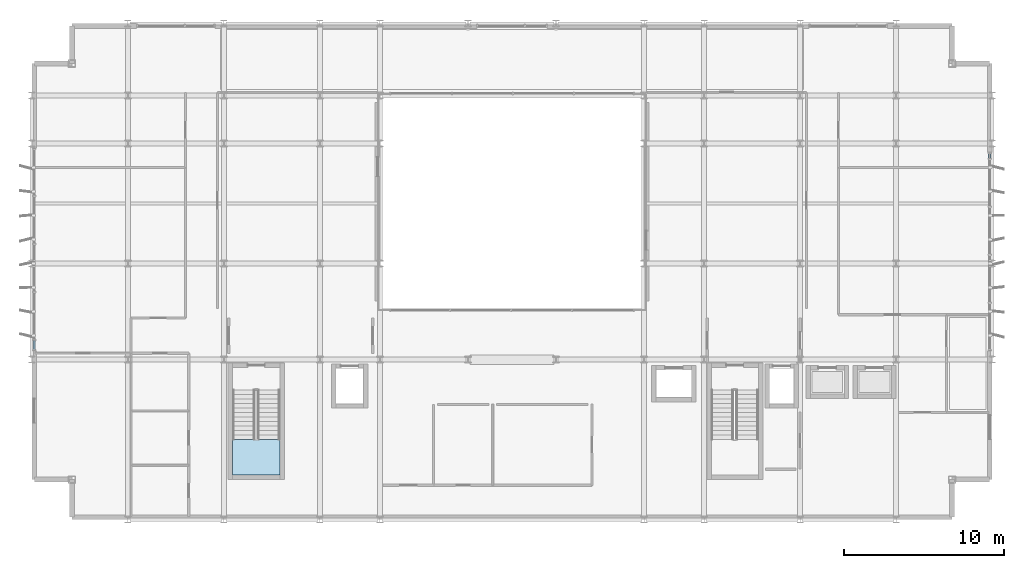
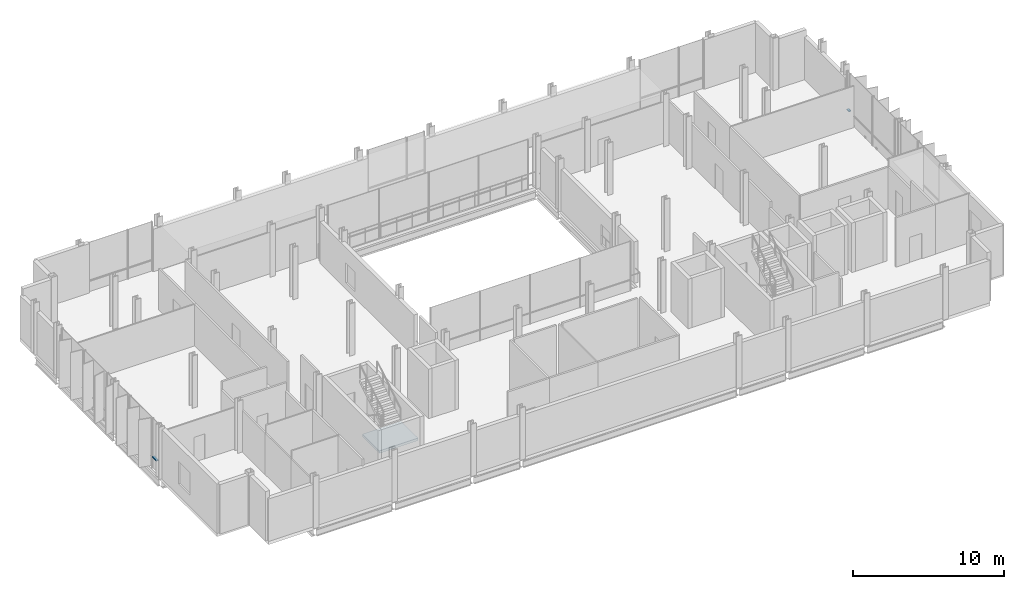
# One storey, part 20 of 32: 2 members, 1 slab, 3 elements without a shape of their own.
"""IFC4 building model written with IfcOpenShell, lengths in metres."""

from ifc_helpers import new_model, si_unit, direction, frame, origin, origin_2d, place, context, subcontext, project, spatial, polyline, hollow_rectangle, outline, extrude, material, layer, layer_set, material_profile, profile_set, type_object, element, aggregate, save


model = new_model("IFC4")

# Units and contexts
model_context = context("Model", 3, precision=1e-05, world=origin(), true_north=direction((0.0, 1.0)))
body_context = subcontext(model_context, "Body", "Model", "MODEL_VIEW")
ifc_project = project(units=[si_unit("LENGTHUNIT", "METRE"), si_unit("AREAUNIT", "SQUARE_METRE"), si_unit("VOLUMEUNIT", "CUBIC_METRE"), si_unit("PLANEANGLEUNIT", "RADIAN"), si_unit("MASSUNIT", "GRAM", prefix="KILO")], contexts=[model_context])

# Site, building, storey
site_placement = place(None, origin())
site = spatial("IfcSite", under=ifc_project, at=site_placement, CompositionType="ELEMENT")
building_placement = place(site_placement, origin())
building = spatial("IfcBuilding", under=site, at=building_placement, Name="Brevholm Reach", CompositionType="ELEMENT")
storey_placement = place(building_placement, frame((0.0, 0.0, 134.5)))
storey = spatial("IfcBuildingStorey", under=building, at=storey_placement, Name="L40", CompositionType="ELEMENT", Elevation=134.5)

# Curtain wall, member
ifc_material_1 = material(Name="Dark Anodised Aluminium 6063-T6 and Solar-Control Glass", Category="aluminium")
ifc_layer_1 = layer(ifc_material_1, 0.179931640625)
ifc_layer_set_1 = layer_set([ifc_layer_1], Name="Dark Anodised Aluminium 6063-T6 and Solar-Control Glass")
curtain_wall_type = type_object("IfcCurtainWallType", Name="CW-05", PredefinedType="NOTDEFINED", material=ifc_layer_set_1)
curtain_wall_1_placement = place(storey_placement, origin())
curtain_wall_1 = element("IfcCurtainWall", 1, at=curtain_wall_1_placement, inside=storey, type_object=curtain_wall_type, Name="L40 Curtain Wall CW-05", PredefinedType="NOTDEFINED")
ifc_material_2 = material(Name="Dark Anodised Aluminium 6063-T6", Category="aluminium")
ifc_material_profile = material_profile(ifc_material_2, hollow_rectangle(XDim=0.074951171875, YDim=0.179931640625, WallThickness=0.006103515625, InnerFilletRadius=0.006103515625, OuterFilletRadius=0.011962890625, at=origin_2d()), Name="RHS 180x75x6")
ifc_profile_set = profile_set([ifc_material_profile], Name="Dark Anodised Aluminium 6063-T6")
member_type = type_object("IfcMemberType", Name="CWT-180", PredefinedType="NOTDEFINED", material=ifc_profile_set)
member_1_placement = place(storey_placement, frame((0.14990234375, 11.1826171875, 0.89990234375), z_axis=(0.0, -1.0, 0.0), x_axis=(0.0, 0.0, 1.0)))
member_1 = element("IfcMember", 2, at=member_1_placement, type_object=member_type, Name="CT-180 Transom 5.1", ObjectType="TRANSOM", PredefinedType="USERDEFINED", context=body_context, shape_type="SweptSolid", body=[
    extrude(hollow_rectangle(XDim=0.074951171875, YDim=0.179931640625, WallThickness=0.006103515625, InnerFilletRadius=0.006103515625, OuterFilletRadius=0.011962890625, at=origin_2d()), origin(), (0.0, 0.0, 1.0), 0.5576171875),
])
aggregate(curtain_wall_1, [member_1])

curtain_wall_2_placement = place(storey_placement, origin())
curtain_wall_2 = element("IfcCurtainWall", 3, at=curtain_wall_2_placement, inside=storey, type_object=curtain_wall_type, Name="L40 Curtain Wall CW-05", PredefinedType="NOTDEFINED")
member_2_placement = place(storey_placement, frame((59.85009765625, 22.58740234375, 0.89990234375), z_axis=(0.0, 1.0, 0.0), x_axis=(0.0, 0.0, 1.0)))
member_2 = element("IfcMember", 4, at=member_2_placement, type_object=member_type, Name="CT-180 Transom 5.1", ObjectType="TRANSOM", PredefinedType="USERDEFINED", context=body_context, shape_type="SweptSolid", body=[
    extrude(hollow_rectangle(XDim=0.074951171875, YDim=0.179931640625, WallThickness=0.006103515625, InnerFilletRadius=0.006103515625, OuterFilletRadius=0.011962890625, at=origin_2d()), origin(), (0.0, 0.0, 1.0), 0.28759765625),
])
aggregate(curtain_wall_2, [member_2])

# Stair, slab
ifc_material_3 = material(Name="Precast Concrete C40/50", Category="concrete")
stair_type = type_object("IfcStairType", Name="STR-ESC-1400", PredefinedType="DOUBLE_RETURN_STAIR", material=ifc_material_3)
stair_placement = place(storey_placement, origin())
stair = element("IfcStair", 5, at=stair_placement, inside=storey, type_object=stair_type, Name="L40 ST-1", PredefinedType="DOUBLE_RETURN_STAIR")
ifc_material_4 = material(Name="Concrete C40/50", Category="concrete")
ifc_layer_2 = layer(ifc_material_4, 0.199951171875)
ifc_layer_set_2 = layer_set([ifc_layer_2], Name="Concrete C40/50")
slab_type = type_object("IfcSlabType", Name="SLB-LND-200", PredefinedType="LANDING", material=ifc_layer_set_2)
slab_placement = place(storey_placement, frame((0.0, 0.0, 1.89990234375)))
slab = element("IfcSlab", 6, at=slab_placement, type_object=slab_type, Name="ST-1 landing 1", PredefinedType="LANDING", context=body_context, shape_type="SweptSolid", body=[
    extrude(outline(polyline([(12.550048828125, 5.02001953125), (12.550048828125, 2.780029296875), (15.5, 2.780029296875), (15.5, 5.02001953125), (12.550048828125, 5.02001953125)])), origin(), (0.0, 0.0, 1.0), 0.2001953125),
])
aggregate(stair, [slab])

save(model, "model.ifc")
